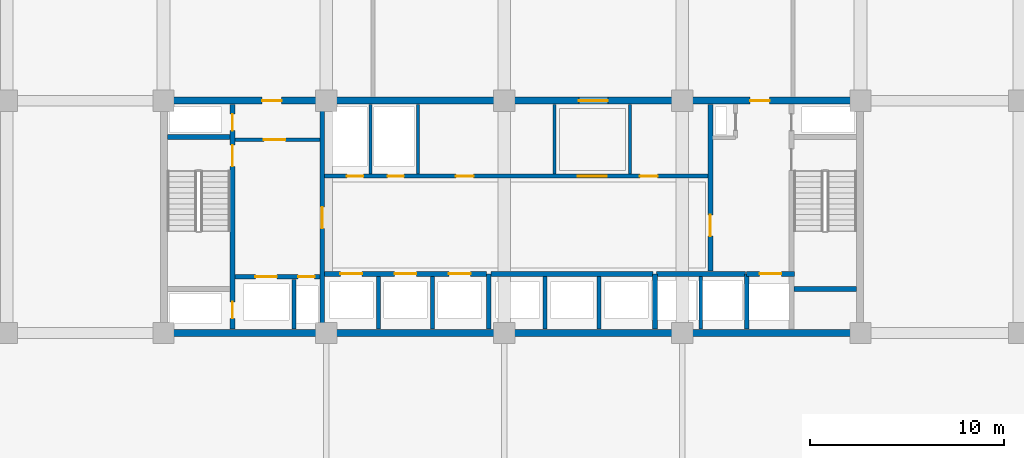
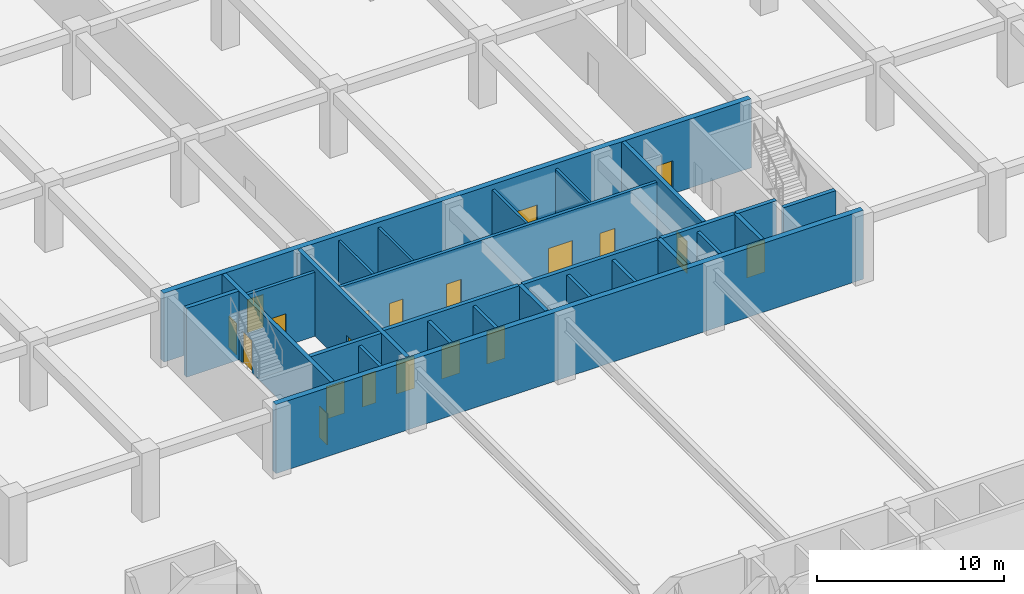
# One storey, part 25 of 40: 27 walls, 20 doors, 20 openings.
"""IFC4 building model written with IfcOpenShell, lengths in metres."""

from ifc_helpers import new_model, si_unit, direction, frame, frame_2d, origin, place, context, subcontext, project, spatial, rectangle, extrude, material, layer, layer_set, type_object, element, fill, save


model = new_model("IFC4")

# Units and contexts
model_context = context("Model", 3, precision=1e-05, world=origin(), true_north=direction((0.0, 1.0)))
body_context = subcontext(model_context, "Body", "Model", "MODEL_VIEW")
ifc_project = project(units=[si_unit("LENGTHUNIT", "METRE"), si_unit("AREAUNIT", "SQUARE_METRE"), si_unit("VOLUMEUNIT", "CUBIC_METRE"), si_unit("PLANEANGLEUNIT", "RADIAN"), si_unit("MASSUNIT", "GRAM", prefix="KILO")], contexts=[model_context])

# Site, building, storey
site_placement = place(None, origin())
site = spatial("IfcSite", under=ifc_project, at=site_placement, CompositionType="ELEMENT")
building_placement = place(site_placement, origin())
building = spatial("IfcBuilding", under=site, at=building_placement, Name="Korimba Cascade Residences", CompositionType="ELEMENT")
storey_placement = place(building_placement, frame((0.0, 0.0, 14.5)))
storey = spatial("IfcBuildingStorey", under=building, at=storey_placement, Name="L03", CompositionType="ELEMENT", Elevation=14.5)

# Wall
ifc_material_1 = material(Name="Concrete C65/80", Category="concrete")
ifc_layer_1 = layer(ifc_material_1, 0.35009765625)
ifc_layer_set_1 = layer_set([ifc_layer_1], Name="Concrete C65/80")
wall_type_1 = type_object("IfcWallType", Name="WAL-CORE-350", PredefinedType="SHEAR", material=ifc_layer_set_1)
wall_1_placement = place(storey_placement, frame((75.949951171875, 55.199951171875, 0.0), z_axis=(0.0, 0.0, 1.0), x_axis=(1.0, 0.0, 0.0)))
element("IfcWall", 1, at=wall_1_placement, inside=storey, type_object=wall_type_1, Name="L03 Core Shear Wall CW-L03-T1-S", PredefinedType="SHEAR", context=body_context, shape_type="SweptSolid", body=[
    extrude(rectangle(XDim=36.300048828125, YDim=0.35009765625, at=frame_2d((18.14990234375, 0.0))), origin(), (0.0, 0.0, 1.0), 4.5),
])

# Wall, openings, doors
wall_2_placement = place(storey_placement, frame((75.949951171875, 67.199951171875, 0.0), z_axis=(0.0, 0.0, 1.0), x_axis=(1.0, 0.0, 0.0)))
wall_2 = element("IfcWall", 2, at=wall_2_placement, inside=storey, type_object=wall_type_1, Name="L03 Core Shear Wall CW-L03-T1-N", PredefinedType="SHEAR", context=body_context, shape_type="SweptSolid", body=[
    extrude(rectangle(XDim=36.300048828125, YDim=0.35009765625, at=frame_2d((18.14990234375, 0.0))), origin(), (0.0, 0.0, 1.0), 4.5),
])
opening_1_placement = place(wall_2_placement, frame((5.25, 0.0, 0.0)))
opening_1 = element("IfcOpeningElement", 3, at=opening_1_placement, cuts=wall_2, Name="Opening D-FD5", PredefinedType="OPENING", context=body_context, shape_type="SweptSolid", body=[
    extrude(rectangle(XDim=1.0, YDim=2.14990234375, at=frame_2d((0.5, 1.074951171875))), frame((0.0, 0.18505859375, 0.0), z_axis=(0.0, -1.0, 0.0), x_axis=(1.0, 0.0, 0.0)), (0.0, 0.0, 1.0), 0.3701171875),
])
opening_2_placement = place(wall_2_placement, frame((21.60009765625, 0.0, 0.0)))
opening_2 = element("IfcOpeningElement", 4, at=opening_2_placement, cuts=wall_2, Name="Opening D-FD8", PredefinedType="OPENING", context=body_context, shape_type="SweptSolid", body=[
    extrude(rectangle(XDim=1.5, YDim=2.199951171875, at=frame_2d((0.75, 1.10009765625))), frame((0.0, 0.18505859375, 0.0), z_axis=(0.0, -1.0, 0.0), x_axis=(1.0, 0.0, 0.0)), (0.0, 0.0, 1.0), 0.3701171875),
])
opening_3_placement = place(wall_2_placement, frame((30.449951171875, 0.0, 0.0)))
opening_3 = element("IfcOpeningElement", 5, at=opening_3_placement, cuts=wall_2, Name="Opening D-FD5", PredefinedType="OPENING", context=body_context, shape_type="SweptSolid", body=[
    extrude(rectangle(XDim=1.0, YDim=2.14990234375, at=frame_2d((0.5, 1.074951171875))), frame((0.0, 0.18505859375, 0.0), z_axis=(0.0, -1.0, 0.0), x_axis=(1.0, 0.0, 0.0)), (0.0, 0.0, 1.0), 0.3701171875),
])
ifc_material_2 = material(Name="Fire-Rated Acoustic Timber Vestibule Door", Category="wood")
door_type_1 = type_object("IfcDoorType", Name="DR-FD90-1000", OperationType="NOTDEFINED", PredefinedType="DOOR", material=ifc_material_2)
door_1_placement = place(opening_1_placement, origin())
door_1 = element("IfcDoor", 6, at=door_1_placement, inside=storey, type_object=door_type_1, Name="L03 T1 West Core Vestibule Fire Door", OperationType="SINGLE_SWING_RIGHT", OverallHeight=2.14990234375, OverallWidth=1.0, PredefinedType="DOOR", context=body_context, shape_type="SweptSolid", body=[
    extrude(rectangle(XDim=1.0, YDim=2.14990234375, at=frame_2d((0.5, 1.074951171875))), frame((0.0, 0.02490234375, 0.0), z_axis=(0.0, -1.0, 0.0), x_axis=(1.0, 0.0, 0.0)), (0.0, 0.0, 1.0), 0.050048828125),
])
fill(opening_1, door_1)
door_2_placement = place(opening_3_placement, origin())
door_2 = element("IfcDoor", 7, at=door_2_placement, inside=storey, type_object=door_type_1, Name="L03 T1 East Firefighting Vestibule Fire Door", OperationType="SINGLE_SWING_LEFT", OverallHeight=2.14990234375, OverallWidth=1.0, PredefinedType="DOOR", context=body_context, shape_type="SweptSolid", body=[
    extrude(rectangle(XDim=1.0, YDim=2.14990234375, at=frame_2d((0.5, 1.074951171875))), frame((0.0, 0.02490234375, 0.0), z_axis=(0.0, -1.0, 0.0), x_axis=(1.0, 0.0, 0.0)), (0.0, 0.0, 1.0), 0.050048828125),
])
fill(opening_3, door_2)
ifc_material_3 = material(Name="Fire-Rated Glazed Lift Lobby Double Door", Category="glass")
door_type_2 = type_object("IfcDoorType", Name="DR-FD90-1500", OperationType="NOTDEFINED", PredefinedType="DOOR", material=ifc_material_3)
door_3_placement = place(opening_2_placement, origin())
door_3 = element("IfcDoor", 8, at=door_3_placement, inside=storey, type_object=door_type_2, Name="L03 T1 Lift Lobby Fire Door", OperationType="DOUBLE_DOOR_SINGLE_SWING", OverallHeight=2.199951171875, OverallWidth=1.5, PredefinedType="DOOR", context=body_context, shape_type="SweptSolid", body=[
    extrude(rectangle(XDim=1.5, YDim=2.199951171875, at=frame_2d((0.75, 1.10009765625))), frame((0.0, 0.02490234375, 0.0), z_axis=(0.0, -1.0, 0.0), x_axis=(1.0, 0.0, 0.0)), (0.0, 0.0, 1.0), 0.050048828125),
])
fill(opening_2, door_3)

# Walls
ifc_material_4 = material(Name="Insulated Acoustic Stud Partition", Category="gypsum")
ifc_layer_2 = layer(ifc_material_4, 0.14990234375)
ifc_layer_set_2 = layer_set([ifc_layer_2], Name="Insulated Acoustic Stud Partition")
wall_type_2 = type_object("IfcWallType", Name="WAL-PART-150", PredefinedType="PARTITIONING", material=ifc_layer_set_2)
for number, where, z_axis, x_axis, name in (
    (9, (86.800048828125, 63.39990234375, 0.0), (0.0, 0.0, 1.0), (0.0, 1.0, 0.0), "L03 Partition Wall CW-L03-T1-ERDIV"),
    (10, (89.25, 63.39990234375, 0.0), (0.0, 0.0, 1.0), (0.0, 1.0, 0.0), "L03 Partition Wall CW-L03-T1-PRDIV"),
    (11, (96.300048828125, 63.39990234375, 0.0), (0.0, 0.0, 1.0), (0.0, 1.0, 0.0), "L03 Partition Wall CW-L03-T1-THW"),
    (12, (100.199951171875, 63.39990234375, 0.0), (0.0, 0.0, 1.0), (0.0, 1.0, 0.0), "L03 Partition Wall CW-L03-T1-THE"),
):
    element("IfcWall", number, at=place(storey_placement, frame(where, z_axis=z_axis, x_axis=x_axis)), inside=storey, type_object=wall_type_2, Name=name, PredefinedType="PARTITIONING", context=body_context, shape_type="SweptSolid", body=[
        extrude(rectangle(XDim=3.60009765625, YDim=0.14990234375, at=frame_2d((1.800048828125, 0.0))), origin(), (0.0, 0.0, 1.0), 4.179931640625),
    ])
ifc_material_5 = material(Name="Concrete C40/50", Category="concrete")
ifc_layer_3 = layer(ifc_material_5, 0.199951171875)
ifc_layer_set_3 = layer_set([ifc_layer_3], Name="Concrete C40/50")
wall_type_3 = type_object("IfcWallType", Name="WAL-PART-200", PredefinedType="PARTITIONING", material=ifc_layer_set_3)
wall_3_placement = place(storey_placement, frame((82.85009765625, 55.39990234375, 0.0), z_axis=(0.0, 0.0, 1.0), x_axis=(0.0, 1.0, 0.0)))
element("IfcWall", 13, at=wall_3_placement, inside=storey, type_object=wall_type_3, Name="L03 Partition Wall CW-L03-T1-FFLDIV", PredefinedType="PARTITIONING", context=body_context, shape_type="SweptSolid", body=[
    extrude(rectangle(XDim=2.56005859375, YDim=0.199951171875, at=frame_2d((1.280029296875, 0.0))), origin(), (0.0, 0.0, 1.0), 4.179931640625),
])

# Wall, opening, door
wall_4_placement = place(storey_placement, frame((79.7900390625, 65.179931640625, 0.0), z_axis=(0.0, 0.0, 1.0), x_axis=(1.0, 0.0, 0.0)))
wall_4 = element("IfcWall", 14, at=wall_4_placement, inside=storey, type_object=wall_type_3, Name="L03 Partition Wall CW-L03-T1-FFLN", PredefinedType="PARTITIONING", context=body_context, shape_type="SweptSolid", body=[
    extrude(rectangle(XDim=4.389892578125, YDim=0.199951171875, at=frame_2d((2.19482421875, 0.0))), origin(), (0.0, 0.0, 1.0), 4.179931640625),
])
opening_4_placement = place(wall_4_placement, frame((1.5, 0.0, 0.0)))
opening_4 = element("IfcOpeningElement", 15, at=opening_4_placement, cuts=wall_4, Name="Opening D-FD1", PredefinedType="OPENING", context=body_context, shape_type="SweptSolid", body=[
    extrude(rectangle(XDim=1.10009765625, YDim=2.10009765625, at=frame_2d((0.550048828125, 1.050048828125))), frame((0.0, 0.10986328125, 0.0), z_axis=(0.0, -1.0, 0.0), x_axis=(1.0, 0.0, 0.0)), (0.0, 0.0, 1.0), 0.219970703125),
])
ifc_material_6 = material(Name="Fire-Rated Steel Core Door", Category="steel")
door_type_3 = type_object("IfcDoorType", Name="DR-FD120-1100", OperationType="NOTDEFINED", PredefinedType="DOOR", material=ifc_material_6)
door_4_placement = place(opening_4_placement, origin())
door_4 = element("IfcDoor", 16, at=door_4_placement, inside=storey, type_object=door_type_3, Name="L03 West Firefighting Lobby Door", OperationType="SINGLE_SWING_RIGHT", OverallHeight=2.10009765625, OverallWidth=1.10009765625, PredefinedType="DOOR", context=body_context, shape_type="SweptSolid", body=[
    extrude(rectangle(XDim=1.10009765625, YDim=2.10009765625, at=frame_2d((0.550048828125, 1.050048828125))), frame((0.0, 0.02490234375, 0.0), z_axis=(0.0, -1.0, 0.0), x_axis=(1.0, 0.0, 0.0)), (0.0, 0.0, 1.0), 0.050048828125),
])
fill(opening_4, door_4)

# Walls
for number, where, z_axis, x_axis, name in (
    (17, (87.199951171875, 55.39990234375, 0.0), (0.0, 0.0, 1.0), (0.0, 1.0, 0.0), "L03 Partition Wall CW-L03-T1-B1D1"),
    (18, (90.0, 55.39990234375, 0.0), (0.0, 0.0, 1.0), (0.0, 1.0, 0.0), "L03 Partition Wall CW-L03-T1-B1D2"),
    (19, (95.800048828125, 55.39990234375, 0.0), (0.0, 0.0, 1.0), (0.0, 1.0, 0.0), "L03 Partition Wall CW-L03-T1-B2D1"),
    (20, (98.60009765625, 55.39990234375, 0.0), (0.0, 0.0, 1.0), (0.0, 1.0, 0.0), "L03 Partition Wall CW-L03-T1-B2D2"),
    (21, (103.85009765625, 55.39990234375, 0.0), (0.0, 0.0, 1.0), (0.0, 1.0, 0.0), "L03 Partition Wall CW-L03-T1-B3D1"),
):
    element("IfcWall", number, at=place(storey_placement, frame(where, z_axis=z_axis, x_axis=x_axis)), inside=storey, type_object=wall_type_3, Name=name, PredefinedType="PARTITIONING", context=body_context, shape_type="SweptSolid", body=[
        extrude(rectangle(XDim=2.72021484375, YDim=0.199951171875, at=frame_2d((1.360107421875, 0.0))), origin(), (0.0, 0.0, 1.0), 4.179931640625),
    ])

# Wall, openings, doors
wall_5_placement = place(storey_placement, frame((84.419921875, 63.300048828125, 0.0), z_axis=(0.0, 0.0, 1.0), x_axis=(1.0, 0.0, 0.0)))
wall_5 = element("IfcWall", 22, at=wall_5_placement, inside=storey, type_object=wall_type_3, Name="L03 Partition Wall CW-L03-T1-SRVROW", PredefinedType="PARTITIONING", context=body_context, shape_type="SweptSolid", body=[
    extrude(rectangle(XDim=19.830078125, YDim=0.199951171875, at=frame_2d((9.9150390625, 0.0))), origin(), (0.0, 0.0, 1.0), 4.179931640625),
])
opening_5_placement = place(wall_5_placement, frame((1.14990234375, 0.0, 0.0)))
opening_5 = element("IfcOpeningElement", 23, at=opening_5_placement, cuts=wall_5, Name="Opening D-RS1", PredefinedType="OPENING", context=body_context, shape_type="SweptSolid", body=[
    extrude(rectangle(XDim=0.85009765625, YDim=2.050048828125, at=frame_2d((0.425048828125, 1.02490234375))), frame((0.0, 0.10986328125, 0.0), z_axis=(0.0, -1.0, 0.0), x_axis=(1.0, 0.0, 0.0)), (0.0, 0.0, 1.0), 0.219970703125),
])
opening_6_placement = place(wall_5_placement, frame((3.25, 0.0, 0.0)))
opening_6 = element("IfcOpeningElement", 24, at=opening_6_placement, cuts=wall_5, Name="Opening D-RS1", PredefinedType="OPENING", context=body_context, shape_type="SweptSolid", body=[
    extrude(rectangle(XDim=0.85009765625, YDim=2.050048828125, at=frame_2d((0.425048828125, 1.02490234375))), frame((0.0, 0.10986328125, 0.0), z_axis=(0.0, -1.0, 0.0), x_axis=(1.0, 0.0, 0.0)), (0.0, 0.0, 1.0), 0.219970703125),
])
opening_7_placement = place(wall_5_placement, frame((13.080078125, 0.0, 0.0)))
opening_7 = element("IfcOpeningElement", 25, at=opening_7_placement, cuts=wall_5, Name="Opening D-FD8", PredefinedType="OPENING", context=body_context, shape_type="SweptSolid", body=[
    extrude(rectangle(XDim=1.5, YDim=2.199951171875, at=frame_2d((0.75, 1.10009765625))), frame((0.0, 0.10986328125, 0.0), z_axis=(0.0, -1.0, 0.0), x_axis=(1.0, 0.0, 0.0)), (0.0, 0.0, 1.0), 0.219970703125),
])
opening_8_placement = place(wall_5_placement, frame((6.780029296875, 0.0, 0.0)))
opening_8 = element("IfcOpeningElement", 26, at=opening_8_placement, cuts=wall_5, Name="Opening D-IN1", PredefinedType="OPENING", context=body_context, shape_type="SweptSolid", body=[
    extrude(rectangle(XDim=0.919921875, YDim=2.080078125, at=frame_2d((0.4599609375, 1.0400390625))), frame((0.0, 0.10986328125, 0.0), z_axis=(0.0, -1.0, 0.0), x_axis=(1.0, 0.0, 0.0)), (0.0, 0.0, 1.0), 0.219970703125),
])
opening_9_placement = place(wall_5_placement, frame((16.280029296875, 0.0, 0.0)))
opening_9 = element("IfcOpeningElement", 27, at=opening_9_placement, cuts=wall_5, Name="Opening D-IN1", PredefinedType="OPENING", context=body_context, shape_type="SweptSolid", body=[
    extrude(rectangle(XDim=0.919921875, YDim=2.080078125, at=frame_2d((0.4599609375, 1.0400390625))), frame((0.0, 0.10986328125, 0.0), z_axis=(0.0, -1.0, 0.0), x_axis=(1.0, 0.0, 0.0)), (0.0, 0.0, 1.0), 0.219970703125),
])
ifc_material_7 = material(Name="Fire-Rated Steel Riser Access Door", Category="steel")
door_type_4 = type_object("IfcDoorType", Name="DR-FD60-850", OperationType="NOTDEFINED", PredefinedType="DOOR", material=ifc_material_7)
door_5_placement = place(opening_5_placement, origin())
door_5 = element("IfcDoor", 28, at=door_5_placement, inside=storey, type_object=door_type_4, Name="L03 Electrical Riser Door", OperationType="SINGLE_SWING_RIGHT", OverallHeight=2.050048828125, OverallWidth=0.85009765625, PredefinedType="DOOR", context=body_context, shape_type="SweptSolid", body=[
    extrude(rectangle(XDim=0.85009765625, YDim=2.050048828125, at=frame_2d((0.425048828125, 1.02490234375))), frame((0.0, 0.02490234375, 0.0), z_axis=(0.0, -1.0, 0.0), x_axis=(1.0, 0.0, 0.0)), (0.0, 0.0, 1.0), 0.050048828125),
])
fill(opening_5, door_5)
door_6_placement = place(opening_6_placement, origin())
door_6 = element("IfcDoor", 29, at=door_6_placement, inside=storey, type_object=door_type_4, Name="L03 Plumbing Riser Door", OperationType="SINGLE_SWING_LEFT", OverallHeight=2.050048828125, OverallWidth=0.85009765625, PredefinedType="DOOR", context=body_context, shape_type="SweptSolid", body=[
    extrude(rectangle(XDim=0.85009765625, YDim=2.050048828125, at=frame_2d((0.425048828125, 1.02490234375))), frame((0.0, 0.02490234375, 0.0), z_axis=(0.0, -1.0, 0.0), x_axis=(1.0, 0.0, 0.0)), (0.0, 0.0, 1.0), 0.050048828125),
])
fill(opening_6, door_6)
door_7_placement = place(opening_7_placement, origin())
door_7 = element("IfcDoor", 30, at=door_7_placement, inside=storey, type_object=door_type_2, Name="L03 Lift Lobby Foyer Archway Door", OperationType="DOUBLE_DOOR_SINGLE_SWING", OverallHeight=2.199951171875, OverallWidth=1.5, PredefinedType="DOOR", context=body_context, shape_type="SweptSolid", body=[
    extrude(rectangle(XDim=1.5, YDim=2.199951171875, at=frame_2d((0.75, 1.10009765625))), frame((0.0, 0.02490234375, 0.0), z_axis=(0.0, -1.0, 0.0), x_axis=(1.0, 0.0, 0.0)), (0.0, 0.0, 1.0), 0.050048828125),
])
fill(opening_7, door_7)
ifc_material_8 = material(Name="Acoustic Timber Living Door", Category="wood")
door_type_5 = type_object("IfcDoorType", Name="DR-INT-920", OperationType="NOTDEFINED", PredefinedType="DOOR", material=ifc_material_8)
door_8_placement = place(opening_8_placement, origin())
door_8 = element("IfcDoor", 31, at=door_8_placement, inside=storey, type_object=door_type_5, Name="L03 Housekeeping Door", OperationType="SINGLE_SWING_RIGHT", OverallHeight=2.080078125, OverallWidth=0.919921875, PredefinedType="DOOR", context=body_context, shape_type="SweptSolid", body=[
    extrude(rectangle(XDim=0.919921875, YDim=2.080078125, at=frame_2d((0.4599609375, 1.0400390625))), frame((0.0, 0.02490234375, 0.0), z_axis=(0.0, -1.0, 0.0), x_axis=(1.0, 0.0, 0.0)), (0.0, 0.0, 1.0), 0.050048828125),
])
fill(opening_8, door_8)
door_9_placement = place(opening_9_placement, origin())
door_9 = element("IfcDoor", 32, at=door_9_placement, inside=storey, type_object=door_type_5, Name="L03 Store Door", OperationType="SINGLE_SWING_LEFT", OverallHeight=2.080078125, OverallWidth=0.919921875, PredefinedType="DOOR", context=body_context, shape_type="SweptSolid", body=[
    extrude(rectangle(XDim=0.919921875, YDim=2.080078125, at=frame_2d((0.4599609375, 1.0400390625))), frame((0.0, 0.02490234375, 0.0), z_axis=(0.0, -1.0, 0.0), x_axis=(1.0, 0.0, 0.0)), (0.0, 0.0, 1.0), 0.050048828125),
])
fill(opening_9, door_9)

ifc_material_9 = material(Name="Concrete C50/60", Category="concrete")
ifc_layer_4 = layer(ifc_material_9, 0.25)
ifc_layer_set_4 = layer_set([ifc_layer_4], Name="Concrete C50/60")
wall_type_4 = type_object("IfcWallType", Name="WAL-SHAFT-250", PredefinedType="SHEAR", material=ifc_layer_set_4)
wall_6_placement = place(storey_placement, frame((79.6650390625, 55.39990234375, 0.0), z_axis=(0.0, 0.0, 1.0), x_axis=(0.0, 1.0, 0.0)))
wall_6 = element("IfcWall", 33, at=wall_6_placement, inside=storey, type_object=wall_type_4, Name="L03 Core Shear Wall CW-L03-T1-STW1E", PredefinedType="SHEAR", context=body_context, shape_type="SweptSolid", body=[
    extrude(rectangle(XDim=11.60009765625, YDim=0.25, at=frame_2d((5.800048828125, 0.0))), origin(), (0.0, 0.0, 1.0), 4.5),
])
opening_10_placement = place(wall_6_placement, frame((0.550048828125, 0.0, 0.0)))
opening_10 = element("IfcOpeningElement", 34, at=opening_10_placement, cuts=wall_6, Name="Opening D-RS1", PredefinedType="OPENING", context=body_context, shape_type="SweptSolid", body=[
    extrude(rectangle(XDim=0.85009765625, YDim=2.050048828125, at=frame_2d((0.425048828125, 1.02490234375))), frame((0.0, 0.135009765625, 0.0), z_axis=(0.0, -1.0, 0.0), x_axis=(1.0, 0.0, 0.0)), (0.0, 0.0, 1.0), 0.27001953125),
])
opening_11_placement = place(wall_6_placement, frame((8.39990234375, 0.0, 0.0)))
opening_11 = element("IfcOpeningElement", 35, at=opening_11_placement, cuts=wall_6, Name="Opening D-FD1", PredefinedType="OPENING", context=body_context, shape_type="SweptSolid", body=[
    extrude(rectangle(XDim=1.10009765625, YDim=2.10009765625, at=frame_2d((0.550048828125, 1.050048828125))), frame((0.0, 0.135009765625, 0.0), z_axis=(0.0, -1.0, 0.0), x_axis=(1.0, 0.0, 0.0)), (0.0, 0.0, 1.0), 0.27001953125),
])
opening_12_placement = place(wall_6_placement, frame((10.25, 0.0, 0.0)))
opening_12 = element("IfcOpeningElement", 36, at=opening_12_placement, cuts=wall_6, Name="Opening D-RS1", PredefinedType="OPENING", context=body_context, shape_type="SweptSolid", body=[
    extrude(rectangle(XDim=0.85009765625, YDim=2.050048828125, at=frame_2d((0.425048828125, 1.02490234375))), frame((0.0, 0.135009765625, 0.0), z_axis=(0.0, -1.0, 0.0), x_axis=(1.0, 0.0, 0.0)), (0.0, 0.0, 1.0), 0.27001953125),
])
door_10_placement = place(opening_11_placement, origin())
door_10 = element("IfcDoor", 37, at=door_10_placement, inside=storey, type_object=door_type_3, Name="L03 Fire Stair ST-W1 Door", OperationType="SINGLE_SWING_LEFT", OverallHeight=2.10009765625, OverallWidth=1.10009765625, PredefinedType="DOOR", context=body_context, shape_type="SweptSolid", body=[
    extrude(rectangle(XDim=1.10009765625, YDim=2.10009765625, at=frame_2d((0.550048828125, 1.050048828125))), frame((0.0, 0.02490234375, 0.0), z_axis=(0.0, -1.0, 0.0), x_axis=(1.0, 0.0, 0.0)), (0.0, 0.0, 1.0), 0.050048828125),
])
fill(opening_11, door_10)
door_11_placement = place(opening_10_placement, origin())
door_11 = element("IfcDoor", 38, at=door_11_placement, inside=storey, type_object=door_type_4, Name="L03 Smoke Riser Access Door", OperationType="SINGLE_SWING_RIGHT", OverallHeight=2.050048828125, OverallWidth=0.85009765625, PredefinedType="DOOR", context=body_context, shape_type="SweptSolid", body=[
    extrude(rectangle(XDim=0.85009765625, YDim=2.050048828125, at=frame_2d((0.425048828125, 1.02490234375))), frame((0.0, 0.02490234375, 0.0), z_axis=(0.0, -1.0, 0.0), x_axis=(1.0, 0.0, 0.0)), (0.0, 0.0, 1.0), 0.050048828125),
])
fill(opening_10, door_11)
door_12_placement = place(opening_12_placement, origin())
door_12 = element("IfcDoor", 39, at=door_12_placement, inside=storey, type_object=door_type_4, Name="L03 Hydrant Riser Access Door", OperationType="SINGLE_SWING_RIGHT", OverallHeight=2.050048828125, OverallWidth=0.85009765625, PredefinedType="DOOR", context=body_context, shape_type="SweptSolid", body=[
    extrude(rectangle(XDim=0.85009765625, YDim=2.050048828125, at=frame_2d((0.425048828125, 1.02490234375))), frame((0.0, 0.02490234375, 0.0), z_axis=(0.0, -1.0, 0.0), x_axis=(1.0, 0.0, 0.0)), (0.0, 0.0, 1.0), 0.050048828125),
])
fill(opening_12, door_12)

# Wall
wall_7_placement = place(storey_placement, frame((76.300048828125, 65.324951171875, 0.0), z_axis=(0.0, 0.0, 1.0), x_axis=(1.0, 0.0, 0.0)))
element("IfcWall", 40, at=wall_7_placement, inside=storey, type_object=wall_type_4, Name="L03 Core Shear Wall CW-L03-T1-STW1N", PredefinedType="SHEAR", context=body_context, shape_type="SweptSolid", body=[
    extrude(rectangle(XDim=3.239990234375, YDim=0.25, at=frame_2d((1.6201171875, 0.0))), origin(), (0.0, 0.0, 1.0), 4.5),
])

# Wall, openings, doors
wall_8_placement = place(storey_placement, frame((79.7900390625, 58.10009765625, 0.0), z_axis=(0.0, 0.0, 1.0), x_axis=(1.0, 0.0, 0.0)))
wall_8 = element("IfcWall", 41, at=wall_8_placement, inside=storey, type_object=wall_type_4, Name="L03 Core Shear Wall CW-L03-T1-FFLS", PredefinedType="SHEAR", context=body_context, shape_type="SweptSolid", body=[
    extrude(rectangle(XDim=4.389892578125, YDim=0.25, at=frame_2d((2.19482421875, 0.0))), origin(), (0.0, 0.0, 1.0), 4.5),
])
opening_13_placement = place(wall_8_placement, frame((1.050048828125, 0.0, 0.0)))
opening_13 = element("IfcOpeningElement", 42, at=opening_13_placement, cuts=wall_8, Name="Opening LD-01", PredefinedType="OPENING", context=body_context, shape_type="SweptSolid", body=[
    extrude(rectangle(XDim=1.1201171875, YDim=2.1201171875, at=frame_2d((0.56005859375, 1.06005859375))), frame((0.0, 0.135009765625, 0.0), z_axis=(0.0, -1.0, 0.0), x_axis=(1.0, 0.0, 0.0)), (0.0, 0.0, 1.0), 0.27001953125),
])
opening_14_placement = place(wall_8_placement, frame((3.260009765625, 0.0, 0.0)))
opening_14 = element("IfcOpeningElement", 43, at=opening_14_placement, cuts=wall_8, Name="Opening D-RS1", PredefinedType="OPENING", context=body_context, shape_type="SweptSolid", body=[
    extrude(rectangle(XDim=0.85009765625, YDim=2.050048828125, at=frame_2d((0.425048828125, 1.02490234375))), frame((0.0, 0.135009765625, 0.0), z_axis=(0.0, -1.0, 0.0), x_axis=(1.0, 0.0, 0.0)), (0.0, 0.0, 1.0), 0.27001953125),
])
door_13_placement = place(opening_14_placement, origin())
door_13 = element("IfcDoor", 44, at=door_13_placement, inside=storey, type_object=door_type_4, Name="L03 Pressurisation Riser Door", OperationType="SINGLE_SWING_LEFT", OverallHeight=2.050048828125, OverallWidth=0.85009765625, PredefinedType="DOOR", context=body_context, shape_type="SweptSolid", body=[
    extrude(rectangle(XDim=0.85009765625, YDim=2.050048828125, at=frame_2d((0.425048828125, 1.02490234375))), frame((0.0, 0.02490234375, 0.0), z_axis=(0.0, -1.0, 0.0), x_axis=(1.0, 0.0, 0.0)), (0.0, 0.0, 1.0), 0.050048828125),
])
fill(opening_14, door_13)
ifc_material_10 = material(Name="Stainless Steel Lift Landing Sliding Door", Category="steel")
door_type_6 = type_object("IfcDoorType", Name="DR-LIFT-1100", OperationType="NOTDEFINED", PredefinedType="DOOR", material=ifc_material_10)
door_14_placement = place(opening_13_placement, origin())
door_14 = element("IfcDoor", 45, at=door_14_placement, inside=storey, type_object=door_type_6, Name="L03 Firefighting Lift Landing Door FFL-W1", OperationType="SLIDING_TO_LEFT", OverallHeight=2.1201171875, OverallWidth=1.1201171875, PredefinedType="DOOR", context=body_context, shape_type="SweptSolid", body=[
    extrude(rectangle(XDim=1.1201171875, YDim=2.1201171875, at=frame_2d((0.56005859375, 1.06005859375))), frame((0.0, 0.02490234375, 0.0), z_axis=(0.0, -1.0, 0.0), x_axis=(1.0, 0.0, 0.0)), (0.0, 0.0, 1.0), 0.050048828125),
])
fill(opening_13, door_14)

# Wall, opening, door
wall_9_placement = place(storey_placement, frame((84.300048828125, 55.39990234375, 0.0), z_axis=(0.0, 0.0, 1.0), x_axis=(0.0, 1.0, 0.0)))
wall_9 = element("IfcWall", 46, at=wall_9_placement, inside=storey, type_object=wall_type_4, Name="L03 Core Shear Wall CW-L03-T1-FFLE", PredefinedType="SHEAR", context=body_context, shape_type="SweptSolid", body=[
    extrude(rectangle(XDim=11.60009765625, YDim=0.25, at=frame_2d((5.800048828125, 0.0))), origin(), (0.0, 0.0, 1.0), 4.5),
])
opening_15_placement = place(wall_9_placement, frame((5.199951171875, 0.0, 0.0)))
opening_15 = element("IfcOpeningElement", 47, at=opening_15_placement, cuts=wall_9, Name="Opening D-FD1", PredefinedType="OPENING", context=body_context, shape_type="SweptSolid", body=[
    extrude(rectangle(XDim=1.10009765625, YDim=2.10009765625, at=frame_2d((0.550048828125, 1.050048828125))), frame((0.0, 0.135009765625, 0.0), z_axis=(0.0, -1.0, 0.0), x_axis=(1.0, 0.0, 0.0)), (0.0, 0.0, 1.0), 0.27001953125),
])
door_15_placement = place(opening_15_placement, origin())
door_15 = element("IfcDoor", 48, at=door_15_placement, inside=storey, type_object=door_type_3, Name="L03 Firefighting Lobby to Lift Lobby Door", OperationType="SINGLE_SWING_LEFT", OverallHeight=2.10009765625, OverallWidth=1.10009765625, PredefinedType="DOOR", context=body_context, shape_type="SweptSolid", body=[
    extrude(rectangle(XDim=1.10009765625, YDim=2.10009765625, at=frame_2d((0.550048828125, 1.050048828125))), frame((0.0, 0.02490234375, 0.0), z_axis=(0.0, -1.0, 0.0), x_axis=(1.0, 0.0, 0.0)), (0.0, 0.0, 1.0), 0.050048828125),
])
fill(opening_15, door_15)

# Wall, openings, doors
wall_10_placement = place(storey_placement, frame((84.419921875, 58.25, 0.0), z_axis=(0.0, 0.0, 1.0), x_axis=(1.0, 0.0, 0.0)))
wall_10 = element("IfcWall", 49, at=wall_10_placement, inside=storey, type_object=wall_type_4, Name="L03 Core Shear Wall CW-L03-T1-B1N", PredefinedType="SHEAR", context=body_context, shape_type="SweptSolid", body=[
    extrude(rectangle(XDim=8.360107421875, YDim=0.25, at=frame_2d((4.18017578125, 0.0))), origin(), (0.0, 0.0, 1.0), 4.5),
])
opening_16_placement = place(wall_10_placement, frame((0.820068359375, 0.0, 0.0)))
opening_16 = element("IfcOpeningElement", 50, at=opening_16_placement, cuts=wall_10, Name="Opening LD-01", PredefinedType="OPENING", context=body_context, shape_type="SweptSolid", body=[
    extrude(rectangle(XDim=1.1201171875, YDim=2.1201171875, at=frame_2d((0.56005859375, 1.06005859375))), frame((0.0, 0.135009765625, 0.0), z_axis=(0.0, -1.0, 0.0), x_axis=(1.0, 0.0, 0.0)), (0.0, 0.0, 1.0), 0.27001953125),
])
opening_17_placement = place(wall_10_placement, frame((3.6201171875, 0.0, 0.0)))
opening_17 = element("IfcOpeningElement", 51, at=opening_17_placement, cuts=wall_10, Name="Opening LD-01", PredefinedType="OPENING", context=body_context, shape_type="SweptSolid", body=[
    extrude(rectangle(XDim=1.1201171875, YDim=2.1201171875, at=frame_2d((0.56005859375, 1.06005859375))), frame((0.0, 0.135009765625, 0.0), z_axis=(0.0, -1.0, 0.0), x_axis=(1.0, 0.0, 0.0)), (0.0, 0.0, 1.0), 0.27001953125),
])
opening_18_placement = place(wall_10_placement, frame((6.419921875, 0.0, 0.0)))
opening_18 = element("IfcOpeningElement", 52, at=opening_18_placement, cuts=wall_10, Name="Opening LD-01", PredefinedType="OPENING", context=body_context, shape_type="SweptSolid", body=[
    extrude(rectangle(XDim=1.1201171875, YDim=2.1201171875, at=frame_2d((0.56005859375, 1.06005859375))), frame((0.0, 0.135009765625, 0.0), z_axis=(0.0, -1.0, 0.0), x_axis=(1.0, 0.0, 0.0)), (0.0, 0.0, 1.0), 0.27001953125),
])
door_16_placement = place(opening_16_placement, origin())
door_16 = element("IfcDoor", 53, at=door_16_placement, inside=storey, type_object=door_type_6, Name="L03 Lift Landing Door PL-W1", OperationType="SLIDING_TO_LEFT", OverallHeight=2.1201171875, OverallWidth=1.1201171875, PredefinedType="DOOR", context=body_context, shape_type="SweptSolid", body=[
    extrude(rectangle(XDim=1.1201171875, YDim=2.1201171875, at=frame_2d((0.56005859375, 1.06005859375))), frame((0.0, 0.02490234375, 0.0), z_axis=(0.0, -1.0, 0.0), x_axis=(1.0, 0.0, 0.0)), (0.0, 0.0, 1.0), 0.050048828125),
])
fill(opening_16, door_16)
door_17_placement = place(opening_17_placement, origin())
door_17 = element("IfcDoor", 54, at=door_17_placement, inside=storey, type_object=door_type_6, Name="L03 Lift Landing Door PL-W2", OperationType="SLIDING_TO_LEFT", OverallHeight=2.1201171875, OverallWidth=1.1201171875, PredefinedType="DOOR", context=body_context, shape_type="SweptSolid", body=[
    extrude(rectangle(XDim=1.1201171875, YDim=2.1201171875, at=frame_2d((0.56005859375, 1.06005859375))), frame((0.0, 0.02490234375, 0.0), z_axis=(0.0, -1.0, 0.0), x_axis=(1.0, 0.0, 0.0)), (0.0, 0.0, 1.0), 0.050048828125),
])
fill(opening_17, door_17)
door_18_placement = place(opening_18_placement, origin())
door_18 = element("IfcDoor", 55, at=door_18_placement, inside=storey, type_object=door_type_6, Name="L03 Lift Landing Door PL-W3", OperationType="SLIDING_TO_LEFT", OverallHeight=2.1201171875, OverallWidth=1.1201171875, PredefinedType="DOOR", context=body_context, shape_type="SweptSolid", body=[
    extrude(rectangle(XDim=1.1201171875, YDim=2.1201171875, at=frame_2d((0.56005859375, 1.06005859375))), frame((0.0, 0.02490234375, 0.0), z_axis=(0.0, -1.0, 0.0), x_axis=(1.0, 0.0, 0.0)), (0.0, 0.0, 1.0), 0.050048828125),
])
fill(opening_18, door_18)

# Walls
wall_11_placement = place(storey_placement, frame((92.89990234375, 55.39990234375, 0.0), z_axis=(0.0, 0.0, 1.0), x_axis=(0.0, 1.0, 0.0)))
element("IfcWall", 56, at=wall_11_placement, inside=storey, type_object=wall_type_4, Name="L03 Core Shear Wall CW-L03-T1-B12DIV", PredefinedType="SHEAR", context=body_context, shape_type="SweptSolid", body=[
    extrude(rectangle(XDim=2.85009765625, YDim=0.25, at=frame_2d((1.425048828125, 0.0))), origin(), (0.0, 0.0, 1.0), 4.5),
])
wall_12_placement = place(storey_placement, frame((93.02001953125, 58.25, 0.0), z_axis=(0.0, 0.0, 1.0), x_axis=(1.0, 0.0, 0.0)))
element("IfcWall", 57, at=wall_12_placement, inside=storey, type_object=wall_type_4, Name="L03 Core Shear Wall CW-L03-T1-B2N", PredefinedType="SHEAR", context=body_context, shape_type="SweptSolid", body=[
    extrude(rectangle(XDim=8.35986328125, YDim=0.25, at=frame_2d((4.179931640625, 0.0))), origin(), (0.0, 0.0, 1.0), 4.5),
])
wall_13_placement = place(storey_placement, frame((101.47998046875, 55.39990234375, 0.0), z_axis=(0.0, 0.0, 1.0), x_axis=(0.0, 1.0, 0.0)))
element("IfcWall", 58, at=wall_13_placement, inside=storey, type_object=wall_type_4, Name="L03 Core Shear Wall CW-L03-T1-B23DIV", PredefinedType="SHEAR", context=body_context, shape_type="SweptSolid", body=[
    extrude(rectangle(XDim=2.85009765625, YDim=0.25, at=frame_2d((1.425048828125, 0.0))), origin(), (0.0, 0.0, 1.0), 4.5),
])
wall_14_placement = place(storey_placement, frame((101.550048828125, 58.25, 0.0), z_axis=(0.0, 0.0, 1.0), x_axis=(1.0, 0.0, 0.0)))
element("IfcWall", 59, at=wall_14_placement, inside=storey, type_object=wall_type_4, Name="L03 Core Shear Wall CW-L03-T1-B3N", PredefinedType="SHEAR", context=body_context, shape_type="SweptSolid", body=[
    extrude(rectangle(XDim=4.599853515625, YDim=0.25, at=frame_2d((2.2998046875, 0.0))), origin(), (0.0, 0.0, 1.0), 4.5),
])
wall_15_placement = place(storey_placement, frame((106.219970703125, 55.39990234375, 0.0), z_axis=(0.0, 0.0, 1.0), x_axis=(0.0, 1.0, 0.0)))
element("IfcWall", 60, at=wall_15_placement, inside=storey, type_object=wall_type_4, Name="L03 Core Shear Wall CW-L03-T1-FF2W", PredefinedType="SHEAR", context=body_context, shape_type="SweptSolid", body=[
    extrude(rectangle(XDim=2.85009765625, YDim=0.25, at=frame_2d((1.425048828125, 0.0))), origin(), (0.0, 0.0, 1.0), 4.5),
])

# Wall, opening, door
wall_16_placement = place(storey_placement, frame((106.219970703125, 58.25, 0.0), z_axis=(0.0, 0.0, 1.0), x_axis=(1.0, 0.0, 0.0)))
wall_16 = element("IfcWall", 61, at=wall_16_placement, inside=storey, type_object=wall_type_4, Name="L03 Core Shear Wall CW-L03-T1-FF2N", PredefinedType="SHEAR", context=body_context, shape_type="SweptSolid", body=[
    extrude(rectangle(XDim=2.4599609375, YDim=0.25, at=frame_2d((1.22998046875, 0.0))), origin(), (0.0, 0.0, 1.0), 4.5),
])
opening_19_placement = place(wall_16_placement, frame((0.669921875, 0.0, 0.0)))
opening_19 = element("IfcOpeningElement", 62, at=opening_19_placement, cuts=wall_16, Name="Opening LD-01", PredefinedType="OPENING", context=body_context, shape_type="SweptSolid", body=[
    extrude(rectangle(XDim=1.1201171875, YDim=2.1201171875, at=frame_2d((0.56005859375, 1.06005859375))), frame((0.0, 0.135009765625, 0.0), z_axis=(0.0, -1.0, 0.0), x_axis=(1.0, 0.0, 0.0)), (0.0, 0.0, 1.0), 0.27001953125),
])
door_19_placement = place(opening_19_placement, origin())
door_19 = element("IfcDoor", 63, at=door_19_placement, inside=storey, type_object=door_type_6, Name="L03 Firefighting Lift Landing Door FFL-W2", OperationType="SLIDING_TO_RIGHT", OverallHeight=2.1201171875, OverallWidth=1.1201171875, PredefinedType="DOOR", context=body_context, shape_type="SweptSolid", body=[
    extrude(rectangle(XDim=1.1201171875, YDim=2.1201171875, at=frame_2d((0.56005859375, 1.06005859375))), frame((0.0, 0.02490234375, 0.0), z_axis=(0.0, -1.0, 0.0), x_axis=(1.0, 0.0, 0.0)), (0.0, 0.0, 1.0), 0.050048828125),
])
fill(opening_19, door_19)

wall_17_placement = place(storey_placement, frame((104.35009765625, 58.39990234375, 0.0), z_axis=(0.0, 0.0, 1.0), x_axis=(0.0, 1.0, 0.0)))
wall_17 = element("IfcWall", 64, at=wall_17_placement, inside=storey, type_object=wall_type_4, Name="L03 Core Shear Wall CW-L03-T1-LLEV", PredefinedType="SHEAR", context=body_context, shape_type="SweptSolid", body=[
    extrude(rectangle(XDim=8.60009765625, YDim=0.25, at=frame_2d((4.300048828125, 0.0))), origin(), (0.0, 0.0, 1.0), 4.5),
])
opening_20_placement = place(wall_17_placement, frame((1.800048828125, 0.0, 0.0)))
opening_20 = element("IfcOpeningElement", 65, at=opening_20_placement, cuts=wall_17, Name="Opening D-FD1", PredefinedType="OPENING", context=body_context, shape_type="SweptSolid", body=[
    extrude(rectangle(XDim=1.10009765625, YDim=2.10009765625, at=frame_2d((0.550048828125, 1.050048828125))), frame((0.0, 0.135009765625, 0.0), z_axis=(0.0, -1.0, 0.0), x_axis=(1.0, 0.0, 0.0)), (0.0, 0.0, 1.0), 0.27001953125),
])
door_20_placement = place(opening_20_placement, origin())
door_20 = element("IfcDoor", 66, at=door_20_placement, inside=storey, type_object=door_type_3, Name="L03 Lift Lobby to East Firefighting Lobby Door", OperationType="SINGLE_SWING_LEFT", OverallHeight=2.10009765625, OverallWidth=1.10009765625, PredefinedType="DOOR", context=body_context, shape_type="SweptSolid", body=[
    extrude(rectangle(XDim=1.10009765625, YDim=2.10009765625, at=frame_2d((0.550048828125, 1.050048828125))), frame((0.0, 0.02490234375, 0.0), z_axis=(0.0, -1.0, 0.0), x_axis=(1.0, 0.0, 0.0)), (0.0, 0.0, 1.0), 0.050048828125),
])
fill(opening_20, door_20)

# Wall
wall_18_placement = place(storey_placement, frame((108.659912109375, 57.47509765625, 0.0), z_axis=(0.0, 0.0, 1.0), x_axis=(1.0, 0.0, 0.0)))
element("IfcWall", 67, at=wall_18_placement, inside=storey, type_object=wall_type_4, Name="L03 Core Shear Wall CW-L03-T1-STW2S", PredefinedType="SHEAR", context=body_context, shape_type="SweptSolid", body=[
    extrude(rectangle(XDim=3.239990234375, YDim=0.25, at=frame_2d((1.6201171875, 0.0))), origin(), (0.0, 0.0, 1.0), 4.5),
])

save(model, "model.ifc")
